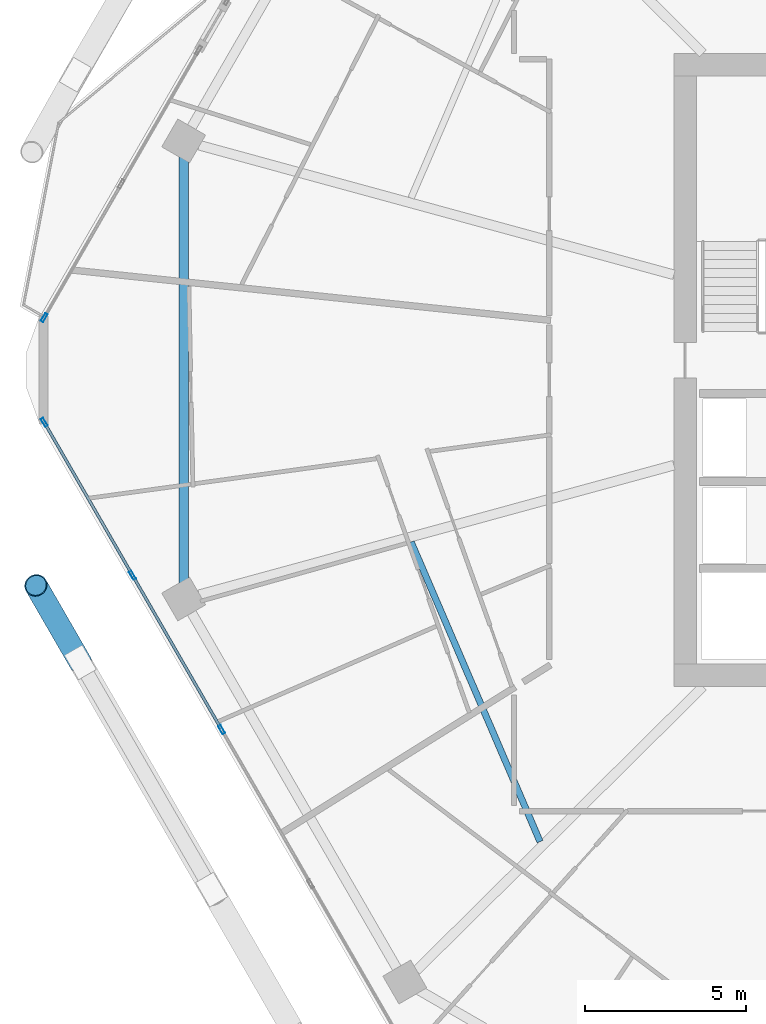
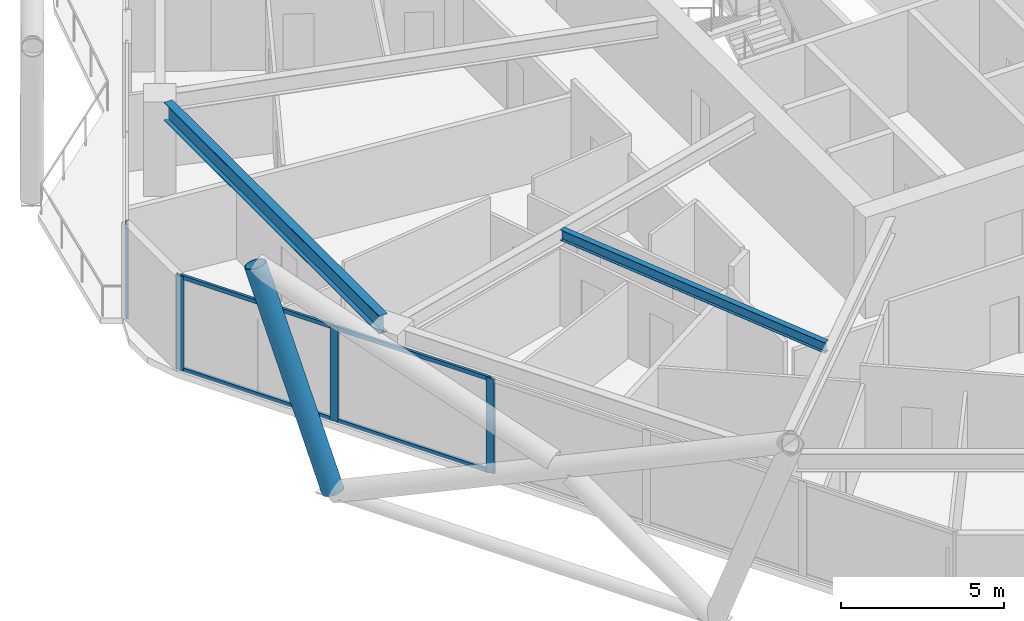
# One storey, part 5 of 28: 9 members, 2 beams, 2 elements without a shape of their own.
"""IFC4 building model written with IfcOpenShell, lengths in metres."""

from ifc_helpers import new_model, si_unit, direction, frame, origin, origin_2d, place, context, subcontext, project, spatial, hollow_rectangle, hollow_circle, i_section, extrude, material, material_profile, profile_set, type_object, element, aggregate, save


model = new_model("IFC4")

# Units and contexts
model_context = context("Model", 3, precision=1e-05, world=origin(), true_north=direction((0.0, 1.0)))
body_context = subcontext(model_context, "Body", "Model", "MODEL_VIEW")
ifc_project = project(units=[si_unit("LENGTHUNIT", "METRE"), si_unit("AREAUNIT", "SQUARE_METRE"), si_unit("VOLUMEUNIT", "CUBIC_METRE"), si_unit("PLANEANGLEUNIT", "RADIAN"), si_unit("MASSUNIT", "GRAM", prefix="KILO")], contexts=[model_context])

# Site, building, storey
site_placement = place(None, origin())
site = spatial("IfcSite", under=ifc_project, at=site_placement, CompositionType="ELEMENT")
building_placement = place(site_placement, origin())
building = spatial("IfcBuilding", under=site, at=building_placement, Name="Zuhravey Tower", CompositionType="ELEMENT")
storey_placement = place(building_placement, frame((0.0, 0.0, 154.199951171875)))
storey = spatial("IfcBuildingStorey", under=building, at=storey_placement, Name="L38", CompositionType="ELEMENT", Elevation=154.199951171875)

# Curtain wall, members
ifc_material_1 = material(Name="Thermally broken anodised aluminium", Category="aluminium")
curtain_wall_type = type_object("IfcCurtainWallType", Name="Zone 1-2 Residential Curtain Wall CW3", PredefinedType="NOTDEFINED", material=ifc_material_1)
curtain_wall_1_placement = place(storey_placement, origin())
curtain_wall_1 = element("IfcCurtainWall", 1, at=curtain_wall_1_placement, inside=storey, type_object=curtain_wall_type, Name="L38 CW3 CW-L38-F4-1", PredefinedType="NOTDEFINED")
ifc_material_2 = material(Name="Anodised aluminium", Category="aluminium")
ifc_material_profile_1 = material_profile(ifc_material_2, hollow_rectangle(XDim=0.090087890625, YDim=0.284912109375, WallThickness=0.0048828125, at=origin_2d()), Name="ALU-RHS-90x285x5")
ifc_profile_set_1 = profile_set([ifc_material_profile_1], Name="Anodised aluminium")
member_type_1 = type_object("IfcMemberType", Name="Curtain-Wall Mullion 90x180", PredefinedType="MULLION", material=ifc_profile_set_1)
member_1_placement = place(storey_placement, frame((11.07275390625, 20.809326171875, 0.0), z_axis=(0.0, 0.0, 1.0), x_axis=(-0.866025138215, -0.500000459979, 0.0)))
member_1 = element("IfcMember", 2, at=member_1_placement, type_object=member_type_1, Name="CW3 mullion 4", PredefinedType="MULLION", context=body_context, shape_type="SweptSolid", body=[
    extrude(hollow_rectangle(XDim=0.090087890625, YDim=0.284912109375, WallThickness=0.0048828125, at=origin_2d()), origin(), (0.0, 0.0, 1.0), 3.550048828125),
])
member_2_placement = place(storey_placement, frame((8.300537109375, 25.61083984375, 0.0), z_axis=(0.0, 0.0, 1.0), x_axis=(-0.866025138215, -0.500000459979, 0.0)))
member_2 = element("IfcMember", 3, at=member_2_placement, type_object=member_type_1, Name="CW3 mullion 5", PredefinedType="MULLION", context=body_context, shape_type="SweptSolid", body=[
    extrude(hollow_rectangle(XDim=0.090087890625, YDim=0.284912109375, WallThickness=0.0048828125, at=origin_2d()), origin(), (0.0, 0.0, 1.0), 3.550048828125),
])
member_3_placement = place(storey_placement, frame((5.55078125, 30.37353515625, 0.0), z_axis=(0.0, 0.0, 1.0), x_axis=(-0.866025138215, -0.500000459979, 0.0)))
member_3 = element("IfcMember", 4, at=member_3_placement, type_object=member_type_1, Name="CW3 mullion 6", PredefinedType="MULLION", context=body_context, shape_type="SweptSolid", body=[
    extrude(hollow_rectangle(XDim=0.090087890625, YDim=0.284912109375, WallThickness=0.0048828125, at=origin_2d()), origin(), (0.0, 0.0, 1.0), 3.550048828125),
])

# Curtain wall, member
curtain_wall_2_placement = place(storey_placement, origin())
curtain_wall_2 = element("IfcCurtainWall", 5, at=curtain_wall_2_placement, inside=storey, type_object=curtain_wall_type, Name="L38 CW3 CW-L38-F3-1", PredefinedType="NOTDEFINED")
member_4_placement = place(storey_placement, frame((5.55078125, 33.62646484375, 0.0), z_axis=(0.0, 0.0, 1.0), x_axis=(-0.866026550612, 0.499998013631, 0.0)))
member_4 = element("IfcMember", 6, at=member_4_placement, type_object=member_type_1, Name="CW3 mullion 1", PredefinedType="MULLION", context=body_context, shape_type="SweptSolid", body=[
    extrude(hollow_rectangle(XDim=0.090087890625, YDim=0.284912109375, WallThickness=0.0048828125, at=origin_2d()), origin(), (0.0, 0.0, 1.0), 3.550048828125),
])
aggregate(curtain_wall_2, [member_4])

# Member
ifc_material_profile_2 = material_profile(ifc_material_2, hollow_rectangle(XDim=0.090087890625, YDim=0.14990234375, WallThickness=0.0048828125, at=origin_2d()), Name="ALU-RHS-90x150x5")
ifc_profile_set_2 = profile_set([ifc_material_profile_2], Name="Anodised aluminium")
member_type_2 = type_object("IfcMemberType", Name="Curtain-Wall Transom 90x150", PredefinedType="USERDEFINED", material=ifc_profile_set_2)
member_5_placement = place(storey_placement, frame((11.050048828125, 20.84814453125, 0.045166015625), z_axis=(-0.49996138257, 0.86604769842, 0.0), x_axis=(-0.86604769842, -0.49996138257, 0.0)))
member_5 = element("IfcMember", 7, at=member_5_placement, type_object=member_type_2, Name="CW3 transom 4.1", ObjectType="TRANSOM", PredefinedType="USERDEFINED", context=body_context, shape_type="SweptSolid", body=[
    extrude(hollow_rectangle(XDim=0.090087890625, YDim=0.14990234375, WallThickness=0.0048828125, at=origin_2d()), origin(), (0.0, 0.0, 1.0), 5.45458984375),
])

member_6_placement = place(storey_placement, frame((11.050048828125, 20.84814453125, 3.505126953125), z_axis=(-0.49996138257, 0.86604769842, 0.0), x_axis=(-0.86604769842, -0.49996138257, 0.0)))
member_6 = element("IfcMember", 8, at=member_6_placement, type_object=member_type_2, Name="CW3 transom 4.2", ObjectType="TRANSOM", PredefinedType="USERDEFINED", context=body_context, shape_type="SweptSolid", body=[
    extrude(hollow_rectangle(XDim=0.090087890625, YDim=0.14990234375, WallThickness=0.0048828125, at=origin_2d()), origin(), (0.0, 0.0, 1.0), 5.45458984375),
])

member_7_placement = place(storey_placement, frame((8.27783203125, 25.64990234375, 0.045166015625), z_axis=(-0.499993332629, 0.866029253159, 0.0), x_axis=(-0.866029253159, -0.499993332629, 0.0)))
member_7 = element("IfcMember", 9, at=member_7_placement, type_object=member_type_2, Name="CW3 transom 5.1", ObjectType="TRANSOM", PredefinedType="USERDEFINED", context=body_context, shape_type="SweptSolid", body=[
    extrude(hollow_rectangle(XDim=0.090087890625, YDim=0.14990234375, WallThickness=0.0048828125, at=origin_2d()), origin(), (0.0, 0.0, 1.0), 5.4091796875),
])

member_8_placement = place(storey_placement, frame((8.27783203125, 25.64990234375, 3.505126953125), z_axis=(-0.499993332629, 0.866029253159, 0.0), x_axis=(-0.866029253159, -0.499993332629, 0.0)))
member_8 = element("IfcMember", 10, at=member_8_placement, type_object=member_type_2, Name="CW3 transom 5.2", ObjectType="TRANSOM", PredefinedType="USERDEFINED", context=body_context, shape_type="SweptSolid", body=[
    extrude(hollow_rectangle(XDim=0.090087890625, YDim=0.14990234375, WallThickness=0.0048828125, at=origin_2d()), origin(), (0.0, 0.0, 1.0), 5.4091796875),
])

aggregate(curtain_wall_1, [member_1, member_2, member_3, member_5, member_6, member_7, member_8])

ifc_material_3 = material(Name="Steel SM460", Category="steel")
ifc_material_profile_3 = material_profile(ifc_material_3, hollow_circle(Radius=0.355712890625, WallThickness=0.031982421875, at=origin_2d()), Name="CHS-711.2x32")
ifc_profile_set_3 = profile_set([ifc_material_profile_3], Name="Steel SM460")
member_type_3 = type_object("IfcMemberType", Name="Exoskeleton Zone 2 Diagrid CHS711x32", PredefinedType="BRACE", material=ifc_profile_set_3)
member_9_placement = place(storey_placement, frame((6.67431640625, 22.9072265625, -0.44384765625), z_axis=(-0.171433802544, 0.296937543674, 0.939382002437), x_axis=(-0.866029404905, -0.499993069792, 0.0)))
element("IfcMember", 11, at=member_9_placement, inside=storey, type_object=member_type_3, Name="L38 Face 4 Diagrid Brace 1", PredefinedType="BRACE", context=body_context, shape_type="SweptSolid", body=[
    extrude(hollow_circle(Radius=0.355712890625, WallThickness=0.031982421875, at=origin_2d()), origin(), (0.0, 0.0, 1.0), 8.047607421875),
])

# Beams
ifc_material_4 = material(Name="Steel SM355", Category="steel")
ifc_material_profile_4 = material_profile(ifc_material_4, i_section(OverallWidth=0.300048828125, OverallDepth=0.679931640625, WebThickness=0.012939453125, FlangeThickness=0.02197265625, at=origin_2d()), Name="H-680x300x13x22")
ifc_profile_set_4 = profile_set([ifc_material_profile_4], Name="Steel SM355")
beam_type_1 = type_object("IfcBeamType", Name="Perimeter Ring Beam H680x300", PredefinedType="BEAM", material=ifc_profile_set_4)
beam_1_placement = place(storey_placement, frame((9.892333984375, 38.62353515625, 3.2099609375), z_axis=(0.0, -1.0, 0.0), x_axis=(1.0, 0.0, 0.0)))
element("IfcBeam", 12, at=beam_1_placement, inside=storey, type_object=beam_type_1, Name="L38 PB2 BM-L38-PB-06", PredefinedType="BEAM", context=body_context, shape_type="SweptSolid", body=[
    extrude(i_section(OverallWidth=0.300048828125, OverallDepth=0.679931640625, WebThickness=0.012939453125, FlangeThickness=0.02197265625, at=origin_2d()), origin(), (0.0, 0.0, 1.0), 13.2470703125),
])
ifc_material_profile_5 = material_profile(ifc_material_4, i_section(OverallWidth=0.199951171875, OverallDepth=0.39990234375, WebThickness=0.008056640625, FlangeThickness=0.012939453125, at=origin_2d()), Name="H-400x200x8x13")
ifc_profile_set_5 = profile_set([ifc_material_profile_5], Name="Steel SM355")
beam_type_2 = type_object("IfcBeamType", Name="Secondary Floor Joist H400x200", PredefinedType="JOIST", material=ifc_profile_set_5)
beam_2_placement = place(storey_placement, frame((16.970458984375, 26.6474609375, 3.35009765625), z_axis=(0.395265853487, -0.918566766799, 0.0), x_axis=(0.918566766799, 0.395265853487, 0.0)))
element("IfcBeam", 13, at=beam_2_placement, inside=storey, type_object=beam_type_2, Name="L38 SJ2 BM-L38-SJ-07-1", PredefinedType="JOIST", context=body_context, shape_type="SweptSolid", body=[
    extrude(i_section(OverallWidth=0.199951171875, OverallDepth=0.39990234375, WebThickness=0.008056640625, FlangeThickness=0.012939453125, at=origin_2d()), origin(), (0.0, 0.0, 1.0), 10.150146484375),
])

save(model, "model.ifc")
